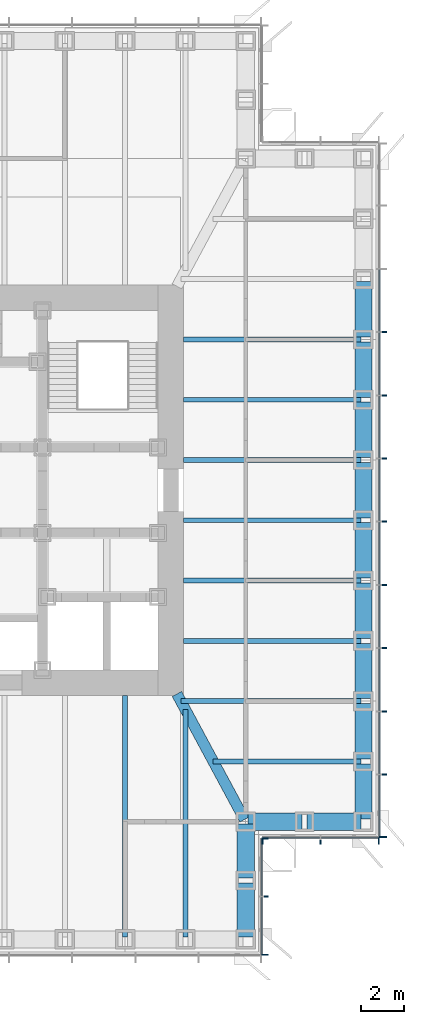
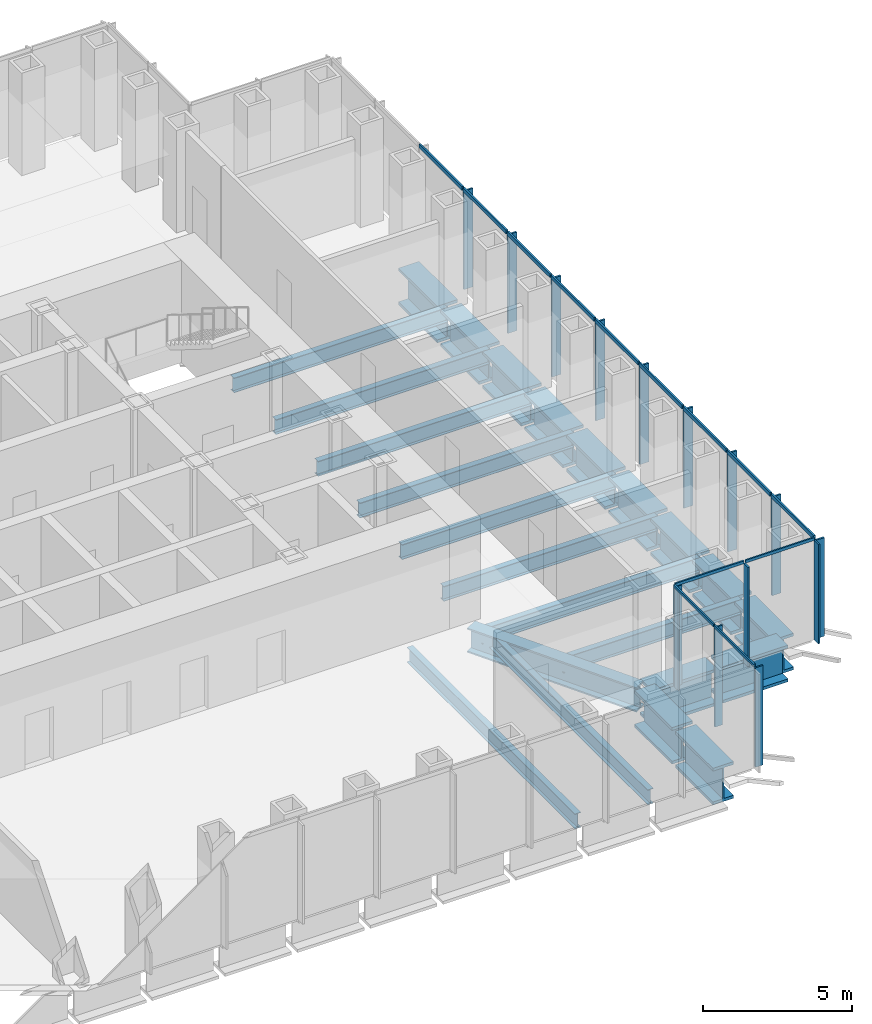
# One storey, part 4 of 17: 28 members, 24 beams, 3 elements without a shape of their own.
"""IFC4 building model written with IfcOpenShell, lengths in metres."""

from ifc_helpers import new_model, si_unit, direction, frame, origin, origin_2d, place, context, subcontext, project, spatial, rectangle, i_section, extrude, material, material_profile, profile_set, type_object, element, aggregate, save


model = new_model("IFC4")

# Units and contexts
model_context = context("Model", 3, precision=1e-05, world=origin(), true_north=direction((0.0, 1.0)))
body_context = subcontext(model_context, "Body", "Model", "MODEL_VIEW")
ifc_project = project(units=[si_unit("LENGTHUNIT", "METRE"), si_unit("AREAUNIT", "SQUARE_METRE"), si_unit("VOLUMEUNIT", "CUBIC_METRE"), si_unit("PLANEANGLEUNIT", "RADIAN"), si_unit("MASSUNIT", "GRAM", prefix="KILO")], contexts=[model_context])

# Site, building, storey
site_placement = place(None, origin())
site = spatial("IfcSite", under=ifc_project, at=site_placement, CompositionType="ELEMENT")
building_placement = place(site_placement, origin())
building = spatial("IfcBuilding", under=site, at=building_placement, Name="Daluyong Arena Tower", CompositionType="ELEMENT")
storey_placement = place(building_placement, frame((0.0, 0.0, 185.5)))
storey = spatial("IfcBuildingStorey", under=building, at=storey_placement, Name="L41", CompositionType="ELEMENT", Elevation=185.5)

# Curtain wall, members
ifc_material_1 = material(Name="Bronze anodised aluminium and glass", Category="aluminium")
curtain_wall_type_1 = type_object("IfcCurtainWallType", Name="Curtain wall CW3", PredefinedType="USERDEFINED", material=ifc_material_1)
curtain_wall_1_placement = place(storey_placement, origin())
curtain_wall_1 = element("IfcCurtainWall", 1, at=curtain_wall_1_placement, inside=storey, type_object=curtain_wall_type_1, Name="curtain wall L41 E", ObjectType="UNITISED CURTAIN WALL", PredefinedType="USERDEFINED")
ifc_material_2 = material(Name="Bronze anodised aluminium fin", Category="aluminium")
ifc_material_profile_1 = material_profile(ifc_material_2, rectangle(XDim=0.35009765625, YDim=0.070068359375, at=origin_2d()))
ifc_profile_set_1 = profile_set([ifc_material_profile_1], Name="Bronze anodised aluminium fin")
member_type_1 = type_object("IfcMemberType", Name="CW3 bronze fin 350x70", PredefinedType="MULLION", material=ifc_profile_set_1)
member_1_placement = place(storey_placement, frame((77.925048828125, 63.784912109375, 0.0), z_axis=(0.0, 0.0, 1.0), x_axis=(-1.0, 0.0, 0.0)))
member_1 = element("IfcMember", 2, at=member_1_placement, type_object=member_type_1, Name="curtain wall L41 E fin 1", PredefinedType="MULLION", context=body_context, shape_type="SweptSolid", body=[
    extrude(rectangle(XDim=0.35009765625, YDim=0.070068359375, at=origin_2d()), origin(), (0.0, 0.0, 1.0), 4.0400390625),
])
member_2_placement = place(storey_placement, frame((77.925048828125, 66.70458984375, 0.0), z_axis=(0.0, 0.0, 1.0), x_axis=(-1.0, 0.0, 0.0)))
member_2 = element("IfcMember", 3, at=member_2_placement, type_object=member_type_1, Name="curtain wall L41 E fin 2", PredefinedType="MULLION", context=body_context, shape_type="SweptSolid", body=[
    extrude(rectangle(XDim=0.35009765625, YDim=0.070068359375, at=origin_2d()), origin(), (0.0, 0.0, 1.0), 4.0400390625),
])
member_3_placement = place(storey_placement, frame((77.925048828125, 69.6591796875, 0.0), z_axis=(0.0, 0.0, 1.0), x_axis=(-1.0, 0.0, 0.0)))
member_3 = element("IfcMember", 4, at=member_3_placement, type_object=member_type_1, Name="curtain wall L41 E fin 3", PredefinedType="MULLION", context=body_context, shape_type="SweptSolid", body=[
    extrude(rectangle(XDim=0.35009765625, YDim=0.070068359375, at=origin_2d()), origin(), (0.0, 0.0, 1.0), 4.0400390625),
])
member_4_placement = place(storey_placement, frame((77.925048828125, 72.613525390625, 0.0), z_axis=(0.0, 0.0, 1.0), x_axis=(-1.0, 0.0, 0.0)))
member_4 = element("IfcMember", 5, at=member_4_placement, type_object=member_type_1, Name="curtain wall L41 E fin 4", PredefinedType="MULLION", context=body_context, shape_type="SweptSolid", body=[
    extrude(rectangle(XDim=0.35009765625, YDim=0.070068359375, at=origin_2d()), origin(), (0.0, 0.0, 1.0), 4.0400390625),
])
member_5_placement = place(storey_placement, frame((77.925048828125, 75.568115234375, 0.0), z_axis=(0.0, 0.0, 1.0), x_axis=(-1.0, 0.0, 0.0)))
member_5 = element("IfcMember", 6, at=member_5_placement, type_object=member_type_1, Name="curtain wall L41 E fin 5", PredefinedType="MULLION", context=body_context, shape_type="SweptSolid", body=[
    extrude(rectangle(XDim=0.35009765625, YDim=0.070068359375, at=origin_2d()), origin(), (0.0, 0.0, 1.0), 4.0400390625),
])
member_6_placement = place(storey_placement, frame((77.925048828125, 78.522705078125, 0.0), z_axis=(0.0, 0.0, 1.0), x_axis=(-1.0, 0.0, 0.0)))
member_6 = element("IfcMember", 7, at=member_6_placement, type_object=member_type_1, Name="curtain wall L41 E fin 6", PredefinedType="MULLION", context=body_context, shape_type="SweptSolid", body=[
    extrude(rectangle(XDim=0.35009765625, YDim=0.070068359375, at=origin_2d()), origin(), (0.0, 0.0, 1.0), 4.0400390625),
])
member_7_placement = place(storey_placement, frame((77.925048828125, 81.477294921875, 0.0), z_axis=(0.0, 0.0, 1.0), x_axis=(-1.0, 0.0, 0.0)))
member_7 = element("IfcMember", 8, at=member_7_placement, type_object=member_type_1, Name="curtain wall L41 E fin 7", PredefinedType="MULLION", context=body_context, shape_type="SweptSolid", body=[
    extrude(rectangle(XDim=0.35009765625, YDim=0.070068359375, at=origin_2d()), origin(), (0.0, 0.0, 1.0), 4.0400390625),
])
member_8_placement = place(storey_placement, frame((77.925048828125, 84.431884765625, 0.0), z_axis=(0.0, 0.0, 1.0), x_axis=(-1.0, 0.0, 0.0)))
member_8 = element("IfcMember", 9, at=member_8_placement, type_object=member_type_1, Name="curtain wall L41 E fin 8", PredefinedType="MULLION", context=body_context, shape_type="SweptSolid", body=[
    extrude(rectangle(XDim=0.35009765625, YDim=0.070068359375, at=origin_2d()), origin(), (0.0, 0.0, 1.0), 4.0400390625),
])
member_9_placement = place(storey_placement, frame((77.925048828125, 87.386474609375, 0.0), z_axis=(0.0, 0.0, 1.0), x_axis=(-1.0, 0.0, 0.0)))
member_9 = element("IfcMember", 10, at=member_9_placement, type_object=member_type_1, Name="curtain wall L41 E fin 9", PredefinedType="MULLION", context=body_context, shape_type="SweptSolid", body=[
    extrude(rectangle(XDim=0.35009765625, YDim=0.070068359375, at=origin_2d()), origin(), (0.0, 0.0, 1.0), 4.0400390625),
])
ifc_material_3 = material(Name="Bronze anodised aluminium", Category="aluminium")
ifc_material_profile_2 = material_profile(ifc_material_3, rectangle(XDim=0.070068359375, YDim=0.159912109375, at=origin_2d()))
ifc_profile_set_2 = profile_set([ifc_material_profile_2], Name="Bronze anodised aluminium")
member_type_2 = type_object("IfcMemberType", Name="CW3 stack transom 160x70", PredefinedType="USERDEFINED", material=ifc_profile_set_2)
member_10_placement = place(storey_placement, frame((77.75, 63.820068359375, 4.1201171875), z_axis=(0.0, 1.0, 0.0), x_axis=(-1.0, 0.0, 0.0)))
member_10 = element("IfcMember", 11, at=member_10_placement, type_object=member_type_2, Name="curtain wall L41 E transom 1", ObjectType="TRANSOM", PredefinedType="USERDEFINED", context=body_context, shape_type="SweptSolid", body=[
    extrude(rectangle(XDim=0.070068359375, YDim=0.159912109375, at=origin_2d()), origin(), (0.0, 0.0, 1.0), 2.849365234375),
])
member_11_placement = place(storey_placement, frame((77.75, 66.739501953125, 4.1201171875), z_axis=(0.0, 1.0, 0.0), x_axis=(-1.0, 0.0, 0.0)))
member_11 = element("IfcMember", 12, at=member_11_placement, type_object=member_type_2, Name="curtain wall L41 E transom 2", ObjectType="TRANSOM", PredefinedType="USERDEFINED", context=body_context, shape_type="SweptSolid", body=[
    extrude(rectangle(XDim=0.070068359375, YDim=0.159912109375, at=origin_2d()), origin(), (0.0, 0.0, 1.0), 2.884521484375),
])
member_12_placement = place(storey_placement, frame((77.75, 69.694091796875, 4.1201171875), z_axis=(0.0, 1.0, 0.0), x_axis=(-1.0, 0.0, 0.0)))
member_12 = element("IfcMember", 13, at=member_12_placement, type_object=member_type_2, Name="curtain wall L41 E transom 3", ObjectType="TRANSOM", PredefinedType="USERDEFINED", context=body_context, shape_type="SweptSolid", body=[
    extrude(rectangle(XDim=0.070068359375, YDim=0.159912109375, at=origin_2d()), origin(), (0.0, 0.0, 1.0), 2.884521484375),
])
member_13_placement = place(storey_placement, frame((77.75, 72.648681640625, 4.1201171875), z_axis=(0.0, 1.0, 0.0), x_axis=(-1.0, 0.0, 0.0)))
member_13 = element("IfcMember", 14, at=member_13_placement, type_object=member_type_2, Name="curtain wall L41 E transom 4", ObjectType="TRANSOM", PredefinedType="USERDEFINED", context=body_context, shape_type="SweptSolid", body=[
    extrude(rectangle(XDim=0.070068359375, YDim=0.159912109375, at=origin_2d()), origin(), (0.0, 0.0, 1.0), 2.884521484375),
])
member_14_placement = place(storey_placement, frame((77.75, 75.603271484375, 4.1201171875), z_axis=(0.0, 1.0, 0.0), x_axis=(-1.0, 0.0, 0.0)))
member_14 = element("IfcMember", 15, at=member_14_placement, type_object=member_type_2, Name="curtain wall L41 E transom 5", ObjectType="TRANSOM", PredefinedType="USERDEFINED", context=body_context, shape_type="SweptSolid", body=[
    extrude(rectangle(XDim=0.070068359375, YDim=0.159912109375, at=origin_2d()), origin(), (0.0, 0.0, 1.0), 2.884521484375),
])
member_15_placement = place(storey_placement, frame((77.75, 78.5576171875, 4.1201171875), z_axis=(0.0, 1.0, 0.0), x_axis=(-1.0, 0.0, 0.0)))
member_15 = element("IfcMember", 16, at=member_15_placement, type_object=member_type_2, Name="curtain wall L41 E transom 6", ObjectType="TRANSOM", PredefinedType="USERDEFINED", context=body_context, shape_type="SweptSolid", body=[
    extrude(rectangle(XDim=0.070068359375, YDim=0.159912109375, at=origin_2d()), origin(), (0.0, 0.0, 1.0), 2.884765625),
])
member_16_placement = place(storey_placement, frame((77.75, 81.51220703125, 4.1201171875), z_axis=(0.0, 1.0, 0.0), x_axis=(-1.0, 0.0, 0.0)))
member_16 = element("IfcMember", 17, at=member_16_placement, type_object=member_type_2, Name="curtain wall L41 E transom 7", ObjectType="TRANSOM", PredefinedType="USERDEFINED", context=body_context, shape_type="SweptSolid", body=[
    extrude(rectangle(XDim=0.070068359375, YDim=0.159912109375, at=origin_2d()), origin(), (0.0, 0.0, 1.0), 2.884521484375),
])
member_17_placement = place(storey_placement, frame((77.75, 84.466796875, 4.1201171875), z_axis=(0.0, 1.0, 0.0), x_axis=(-1.0, 0.0, 0.0)))
member_17 = element("IfcMember", 18, at=member_17_placement, type_object=member_type_2, Name="curtain wall L41 E transom 8", ObjectType="TRANSOM", PredefinedType="USERDEFINED", context=body_context, shape_type="SweptSolid", body=[
    extrude(rectangle(XDim=0.070068359375, YDim=0.159912109375, at=origin_2d()), origin(), (0.0, 0.0, 1.0), 2.884521484375),
])
member_18_placement = place(storey_placement, frame((77.75, 87.42138671875, 4.1201171875), z_axis=(0.0, 1.0, 0.0), x_axis=(-1.0, 0.0, 0.0)))
member_18 = element("IfcMember", 19, at=member_18_placement, type_object=member_type_2, Name="curtain wall L41 E transom 9", ObjectType="TRANSOM", PredefinedType="USERDEFINED", context=body_context, shape_type="SweptSolid", body=[
    extrude(rectangle(XDim=0.070068359375, YDim=0.159912109375, at=origin_2d()), origin(), (0.0, 0.0, 1.0), 2.884521484375),
])
aggregate(curtain_wall_1, [member_1, member_2, member_3, member_4, member_5, member_6, member_7, member_8, member_9, member_10, member_11, member_12, member_13, member_14, member_15, member_16, member_17, member_18])

ifc_material_4 = material(Name="Bronze anodised aluminium and glass", Category="aluminium")
curtain_wall_type_2 = type_object("IfcCurtainWallType", Name="Curtain wall CW7", PredefinedType="USERDEFINED", material=ifc_material_4)
curtain_wall_2_placement = place(storey_placement, origin())
curtain_wall_2 = element("IfcCurtainWall", 20, at=curtain_wall_2_placement, inside=storey, type_object=curtain_wall_type_2, Name="curtain wall L41 SE-E", ObjectType="UNITISED CURTAIN WALL", PredefinedType="USERDEFINED")
ifc_material_5 = material(Name="Bronze anodised aluminium fin", Category="aluminium")
ifc_material_profile_3 = material_profile(ifc_material_5, rectangle(XDim=0.300048828125, YDim=0.06005859375, at=origin_2d()))
ifc_profile_set_3 = profile_set([ifc_material_profile_3], Name="Bronze anodised aluminium fin")
member_type_3 = type_object("IfcMemberType", Name="CW7 bronze fin 300x60", PredefinedType="MULLION", material=ifc_profile_set_3)
member_19_placement = place(storey_placement, frame((72.39990234375, 58.280029296875, 0.0), z_axis=(0.0, 0.0, 1.0), x_axis=(-1.0, 0.0, 0.0)))
member_19 = element("IfcMember", 21, at=member_19_placement, type_object=member_type_3, Name="curtain wall L41 SE-E fin 1", PredefinedType="MULLION", context=body_context, shape_type="SweptSolid", body=[
    extrude(rectangle(XDim=0.300048828125, YDim=0.06005859375, at=origin_2d()), origin(), (0.0, 0.0, 1.0), 4.080078125),
])
member_20_placement = place(storey_placement, frame((72.39990234375, 61.0, 0.0), z_axis=(0.0, 0.0, 1.0), x_axis=(-1.0, 0.0, 0.0)))
member_20 = element("IfcMember", 22, at=member_20_placement, type_object=member_type_3, Name="curtain wall L41 SE-E fin 2", PredefinedType="MULLION", context=body_context, shape_type="SweptSolid", body=[
    extrude(rectangle(XDim=0.300048828125, YDim=0.06005859375, at=origin_2d()), origin(), (0.0, 0.0, 1.0), 4.080078125),
])
member_21_placement = place(storey_placement, frame((72.39990234375, 63.719970703125, 0.0), z_axis=(0.0, 0.0, 1.0), x_axis=(-1.0, 0.0, 0.0)))
member_21 = element("IfcMember", 23, at=member_21_placement, type_object=member_type_3, Name="curtain wall L41 SE-E fin 3", PredefinedType="MULLION", context=body_context, shape_type="SweptSolid", body=[
    extrude(rectangle(XDim=0.300048828125, YDim=0.06005859375, at=origin_2d()), origin(), (0.0, 0.0, 1.0), 4.080078125),
])

curtain_wall_3_placement = place(storey_placement, origin())
curtain_wall_3 = element("IfcCurtainWall", 24, at=curtain_wall_3_placement, inside=storey, type_object=curtain_wall_type_2, Name="curtain wall L41 SE-S", ObjectType="UNITISED CURTAIN WALL", PredefinedType="USERDEFINED")
member_22_placement = place(storey_placement, frame((72.280029296875, 63.60009765625, 0.0), z_axis=(0.0, 0.0, 1.0), x_axis=(0.0, 1.0, 0.0)))
member_22 = element("IfcMember", 25, at=member_22_placement, type_object=member_type_3, Name="curtain wall L41 SE-S fin 1", PredefinedType="MULLION", context=body_context, shape_type="SweptSolid", body=[
    extrude(rectangle(XDim=0.300048828125, YDim=0.06005859375, at=origin_2d()), origin(), (0.0, 0.0, 1.0), 4.080078125),
])
member_23_placement = place(storey_placement, frame((75.0, 63.60009765625, 0.0), z_axis=(0.0, 0.0, 1.0), x_axis=(0.0, 1.0, 0.0)))
member_23 = element("IfcMember", 26, at=member_23_placement, type_object=member_type_3, Name="curtain wall L41 SE-S fin 2", PredefinedType="MULLION", context=body_context, shape_type="SweptSolid", body=[
    extrude(rectangle(XDim=0.300048828125, YDim=0.06005859375, at=origin_2d()), origin(), (0.0, 0.0, 1.0), 4.080078125),
])
member_24_placement = place(storey_placement, frame((77.719970703125, 63.60009765625, 0.0), z_axis=(0.0, 0.0, 1.0), x_axis=(0.0, 1.0, 0.0)))
member_24 = element("IfcMember", 27, at=member_24_placement, type_object=member_type_3, Name="curtain wall L41 SE-S fin 3", PredefinedType="MULLION", context=body_context, shape_type="SweptSolid", body=[
    extrude(rectangle(XDim=0.300048828125, YDim=0.06005859375, at=origin_2d()), origin(), (0.0, 0.0, 1.0), 4.080078125),
])

# Member
ifc_material_6 = material(Name="Bronze anodised aluminium", Category="aluminium")
ifc_material_profile_4 = material_profile(ifc_material_6, rectangle(XDim=0.06005859375, YDim=0.1201171875, at=origin_2d()))
ifc_profile_set_4 = profile_set([ifc_material_profile_4], Name="Bronze anodised aluminium")
member_type_4 = type_object("IfcMemberType", Name="CW7 stack transom 120x60", PredefinedType="USERDEFINED", material=ifc_profile_set_4)
member_25_placement = place(storey_placement, frame((72.25, 58.31005859375, 4.139892578125), z_axis=(0.0, 1.0, 0.0), x_axis=(-1.0, 0.0, 0.0)))
member_25 = element("IfcMember", 28, at=member_25_placement, type_object=member_type_4, Name="curtain wall L41 SE-E transom 1", ObjectType="TRANSOM", PredefinedType="USERDEFINED", context=body_context, shape_type="SweptSolid", body=[
    extrude(rectangle(XDim=0.06005859375, YDim=0.1201171875, at=origin_2d()), origin(), (0.0, 0.0, 1.0), 2.659912109375),
])

member_26_placement = place(storey_placement, frame((72.25, 61.030029296875, 4.139892578125), z_axis=(0.0, 1.0, 0.0), x_axis=(-1.0, 0.0, 0.0)))
member_26 = element("IfcMember", 29, at=member_26_placement, type_object=member_type_4, Name="curtain wall L41 SE-E transom 2", ObjectType="TRANSOM", PredefinedType="USERDEFINED", context=body_context, shape_type="SweptSolid", body=[
    extrude(rectangle(XDim=0.06005859375, YDim=0.1201171875, at=origin_2d()), origin(), (0.0, 0.0, 1.0), 2.659912109375),
])

aggregate(curtain_wall_2, [member_19, member_20, member_21, member_25, member_26])

member_27_placement = place(storey_placement, frame((72.31005859375, 63.75, 4.139892578125), z_axis=(1.0, 0.0, 0.0), x_axis=(0.0, 1.0, 0.0)))
member_27 = element("IfcMember", 30, at=member_27_placement, type_object=member_type_4, Name="curtain wall L41 SE-S transom 1", ObjectType="TRANSOM", PredefinedType="USERDEFINED", context=body_context, shape_type="SweptSolid", body=[
    extrude(rectangle(XDim=0.06005859375, YDim=0.1201171875, at=origin_2d()), origin(), (0.0, 0.0, 1.0), 2.659912109375),
])

member_28_placement = place(storey_placement, frame((75.030029296875, 63.75, 4.139892578125), z_axis=(1.0, 0.0, 0.0), x_axis=(0.0, 1.0, 0.0)))
member_28 = element("IfcMember", 31, at=member_28_placement, type_object=member_type_4, Name="curtain wall L41 SE-S transom 2", ObjectType="TRANSOM", PredefinedType="USERDEFINED", context=body_context, shape_type="SweptSolid", body=[
    extrude(rectangle(XDim=0.06005859375, YDim=0.1201171875, at=origin_2d()), origin(), (0.0, 0.0, 1.0), 2.659912109375),
])

aggregate(curtain_wall_3, [member_22, member_23, member_24, member_27, member_28])

# Beams
ifc_material_7 = material(Name="Steel ASTM A572 Grade 50", Category="steel")
ifc_material_profile_5 = material_profile(ifc_material_7, i_section(OverallWidth=0.5, OverallDepth=1.0, WebThickness=0.03, FlangeThickness=0.06, at=origin_2d()))
ifc_profile_set_5 = profile_set([ifc_material_profile_5], Name="Steel ASTM A572 Grade 50")
beam_type_1 = type_object("IfcBeamType", Name="Corner girder TB1000X500", PredefinedType="BEAM", material=ifc_profile_set_5)
beam_1_placement = place(storey_placement, frame((71.445556640625, 64.601318359375, -0.659912109375), z_axis=(-0.474119475266, 0.880460517669, 0.0), x_axis=(-0.880460517669, -0.474119475266, 0.0)))
element("IfcBeam", 32, at=beam_1_placement, inside=storey, type_object=beam_type_1, Name="corner girder DG2", PredefinedType="BEAM", context=body_context, shape_type="SweptSolid", body=[
    extrude(i_section(OverallWidth=0.5, OverallDepth=1.0, WebThickness=0.03, FlangeThickness=0.06, at=origin_2d()), origin(), (0.0, 0.0, 1.0), 6.66748046875),
])
ifc_material_8 = material(Name="Steel ASTM A992 Grade 50", Category="steel")
ifc_material_profile_6 = material_profile(ifc_material_8, i_section(OverallWidth=0.22900390625, OverallDepth=0.612060546875, WebThickness=0.011962890625, FlangeThickness=0.01953125, at=origin_2d()))
ifc_profile_set_6 = profile_set([ifc_material_profile_6], Name="Steel ASTM A992 Grade 50")
beam_type_2 = type_object("IfcBeamType", Name="Floor beam W24X84", PredefinedType="BEAM", material=ifc_profile_set_6)
beam_2_placement = place(storey_placement, frame((65.863525390625, 59.114990234375, -0.466064453125), z_axis=(0.0, 1.0, 0.0), x_axis=(-1.0, 0.0, 0.0)))
element("IfcBeam", 33, at=beam_2_placement, inside=storey, type_object=beam_type_2, Name="floor beam FB3", PredefinedType="BEAM", context=body_context, shape_type="SweptSolid", body=[
    extrude(i_section(OverallWidth=0.22900390625, OverallDepth=0.612060546875, WebThickness=0.011962890625, FlangeThickness=0.01953125, at=origin_2d()), origin(), (0.0, 0.0, 1.0), 11.284912109375),
])
beam_3_placement = place(storey_placement, frame((68.681884765625, 59.114990234375, -0.466064453125), z_axis=(0.0, 1.0, 0.0), x_axis=(-1.0, 0.0, 0.0)))
element("IfcBeam", 34, at=beam_3_placement, inside=storey, type_object=beam_type_2, Name="floor beam FB3", PredefinedType="BEAM", context=body_context, shape_type="SweptSolid", body=[
    extrude(i_section(OverallWidth=0.22900390625, OverallDepth=0.612060546875, WebThickness=0.011962890625, FlangeThickness=0.01953125, at=origin_2d()), origin(), (0.0, 0.0, 1.0), 10.618896484375),
])
beam_4_placement = place(storey_placement, frame((76.885009765625, 67.318115234375, -0.466064453125), z_axis=(-1.0, 0.0, 0.0), x_axis=(0.0, -1.0, 0.0)))
element("IfcBeam", 35, at=beam_4_placement, inside=storey, type_object=beam_type_2, Name="floor beam FB3", PredefinedType="BEAM", context=body_context, shape_type="SweptSolid", body=[
    extrude(i_section(OverallWidth=0.22900390625, OverallDepth=0.612060546875, WebThickness=0.011962890625, FlangeThickness=0.01953125, at=origin_2d()), origin(), (0.0, 0.0, 1.0), 6.902587890625),
])
beam_5_placement = place(storey_placement, frame((76.885009765625, 70.136474609375, -0.466064453125), z_axis=(-1.0, 0.0, 0.0), x_axis=(0.0, -1.0, 0.0)))
element("IfcBeam", 36, at=beam_5_placement, inside=storey, type_object=beam_type_2, Name="floor beam FB3", PredefinedType="BEAM", context=body_context, shape_type="SweptSolid", body=[
    extrude(i_section(OverallWidth=0.22900390625, OverallDepth=0.612060546875, WebThickness=0.011962890625, FlangeThickness=0.01953125, at=origin_2d()), origin(), (0.0, 0.0, 1.0), 8.419921875),
])
for number, where, z_axis, x_axis, name in (
    (37, (76.885009765625, 72.95458984375, -0.466064453125), (-1.0, 0.0, 0.0), (0.0, -1.0, 0.0), "floor beam FB3"),
    (38, (76.885009765625, 75.772705078125, -0.466064453125), (-1.0, 0.0, 0.0), (0.0, -1.0, 0.0), "floor beam FB3"),
    (39, (76.885009765625, 78.5908203125, -0.466064453125), (-1.0, 0.0, 0.0), (0.0, -1.0, 0.0), "floor beam FB3"),
    (40, (76.885009765625, 81.4091796875, -0.466064453125), (-1.0, 0.0, 0.0), (0.0, -1.0, 0.0), "floor beam FB3"),
    (41, (76.885009765625, 84.227294921875, -0.466064453125), (-1.0, 0.0, 0.0), (0.0, -1.0, 0.0), "floor beam FB3"),
    (42, (76.885009765625, 87.04541015625, -0.466064453125), (-1.0, 0.0, 0.0), (0.0, -1.0, 0.0), "floor beam FB3"),
):
    element("IfcBeam", number, at=place(storey_placement, frame(where, z_axis=z_axis, x_axis=x_axis)), inside=storey, type_object=beam_type_2, Name=name, PredefinedType="BEAM", context=body_context, shape_type="SweptSolid", body=[
        extrude(i_section(OverallWidth=0.22900390625, OverallDepth=0.612060546875, WebThickness=0.011962890625, FlangeThickness=0.01953125, at=origin_2d()), origin(), (0.0, 0.0, 1.0), 8.284912109375),
    ])
ifc_material_9 = material(Name="Steel ASTM A588 Grade 50", Category="steel")
ifc_material_profile_7 = material_profile(ifc_material_9, i_section(OverallWidth=0.800048828125, OverallDepth=1.5, WebThickness=0.05, FlangeThickness=0.12, at=origin_2d()))
ifc_profile_set_7 = profile_set([ifc_material_profile_7], Name="Steel ASTM A588 Grade 50")
beam_type_3 = type_object("IfcBeamType", Name="Spandrel Z3 PG1500X800", PredefinedType="SPANDREL", material=ifc_profile_set_7)
for number, where, z_axis, x_axis, name in (
    (43, (71.5, 59.114990234375, -0.909912109375), (0.0, 1.0, 0.0), (-1.0, 0.0, 0.0), "spandrel z3 SB7"),
    (44, (71.5, 61.864990234375, -0.909912109375), (0.0, 1.0, 0.0), (-1.0, 0.0, 0.0), "spandrel z3 SB7"),
    (45, (71.614990234375, 64.5, -0.909912109375), (1.0, 0.0, 0.0), (0.0, 1.0, 0.0), "spandrel z3 SB7"),
    (46, (74.364990234375, 64.5, -0.909912109375), (1.0, 0.0, 0.0), (0.0, 1.0, 0.0), "spandrel z3 SB7"),
):
    element("IfcBeam", number, at=place(storey_placement, frame(where, z_axis=z_axis, x_axis=x_axis)), inside=storey, type_object=beam_type_3, Name=name, PredefinedType="SPANDREL", context=body_context, shape_type="SweptSolid", body=[
        extrude(i_section(OverallWidth=0.800048828125, OverallDepth=1.5, WebThickness=0.05, FlangeThickness=0.12, at=origin_2d()), origin(), (0.0, 0.0, 1.0), 2.52001953125),
    ])
beam_6_placement = place(storey_placement, frame((77.0, 64.614990234375, -0.909912109375), z_axis=(0.0, 1.0, 0.0), x_axis=(-1.0, 0.0, 0.0)))
element("IfcBeam", 47, at=beam_6_placement, inside=storey, type_object=beam_type_3, Name="spandrel z3 SB7", PredefinedType="SPANDREL", context=body_context, shape_type="SweptSolid", body=[
    extrude(i_section(OverallWidth=0.800048828125, OverallDepth=1.5, WebThickness=0.05, FlangeThickness=0.12, at=origin_2d()), origin(), (0.0, 0.0, 1.0), 2.588134765625),
])
beam_7_placement = place(storey_placement, frame((77.0, 67.43310546875, -0.909912109375), z_axis=(0.0, 1.0, 0.0), x_axis=(-1.0, 0.0, 0.0)))
element("IfcBeam", 48, at=beam_7_placement, inside=storey, type_object=beam_type_3, Name="spandrel z3 SB7", PredefinedType="SPANDREL", context=body_context, shape_type="SweptSolid", body=[
    extrude(i_section(OverallWidth=0.800048828125, OverallDepth=1.5, WebThickness=0.05, FlangeThickness=0.12, at=origin_2d()), origin(), (0.0, 0.0, 1.0), 2.58837890625),
])
for number, where, z_axis, x_axis, name in (
    (49, (77.0, 70.25146484375, -0.909912109375), (0.0, 1.0, 0.0), (-1.0, 0.0, 0.0), "spandrel z3 SB7"),
    (50, (77.0, 73.069580078125, -0.909912109375), (0.0, 1.0, 0.0), (-1.0, 0.0, 0.0), "spandrel z3 SB7"),
    (51, (77.0, 75.8876953125, -0.909912109375), (0.0, 1.0, 0.0), (-1.0, 0.0, 0.0), "spandrel z3 SB7"),
):
    element("IfcBeam", number, at=place(storey_placement, frame(where, z_axis=z_axis, x_axis=x_axis)), inside=storey, type_object=beam_type_3, Name=name, PredefinedType="SPANDREL", context=body_context, shape_type="SweptSolid", body=[
        extrude(i_section(OverallWidth=0.800048828125, OverallDepth=1.5, WebThickness=0.05, FlangeThickness=0.12, at=origin_2d()), origin(), (0.0, 0.0, 1.0), 2.588134765625),
    ])
beam_8_placement = place(storey_placement, frame((77.0, 78.705810546875, -0.909912109375), z_axis=(0.0, 1.0, 0.0), x_axis=(-1.0, 0.0, 0.0)))
element("IfcBeam", 52, at=beam_8_placement, inside=storey, type_object=beam_type_3, Name="spandrel z3 SB7", PredefinedType="SPANDREL", context=body_context, shape_type="SweptSolid", body=[
    extrude(i_section(OverallWidth=0.800048828125, OverallDepth=1.5, WebThickness=0.05, FlangeThickness=0.12, at=origin_2d()), origin(), (0.0, 0.0, 1.0), 2.58837890625),
])
for number, where, z_axis, x_axis, name in (
    (53, (77.0, 81.524169921875, -0.909912109375), (0.0, 1.0, 0.0), (-1.0, 0.0, 0.0), "spandrel z3 SB7"),
    (54, (77.0, 84.34228515625, -0.909912109375), (0.0, 1.0, 0.0), (-1.0, 0.0, 0.0), "spandrel z3 SB7"),
    (55, (77.0, 87.160400390625, -0.909912109375), (0.0, 1.0, 0.0), (-1.0, 0.0, 0.0), "spandrel z3 SB7"),
):
    element("IfcBeam", number, at=place(storey_placement, frame(where, z_axis=z_axis, x_axis=x_axis)), inside=storey, type_object=beam_type_3, Name=name, PredefinedType="SPANDREL", context=body_context, shape_type="SweptSolid", body=[
        extrude(i_section(OverallWidth=0.800048828125, OverallDepth=1.5, WebThickness=0.05, FlangeThickness=0.12, at=origin_2d()), origin(), (0.0, 0.0, 1.0), 2.588134765625),
    ])

save(model, "model.ifc")
